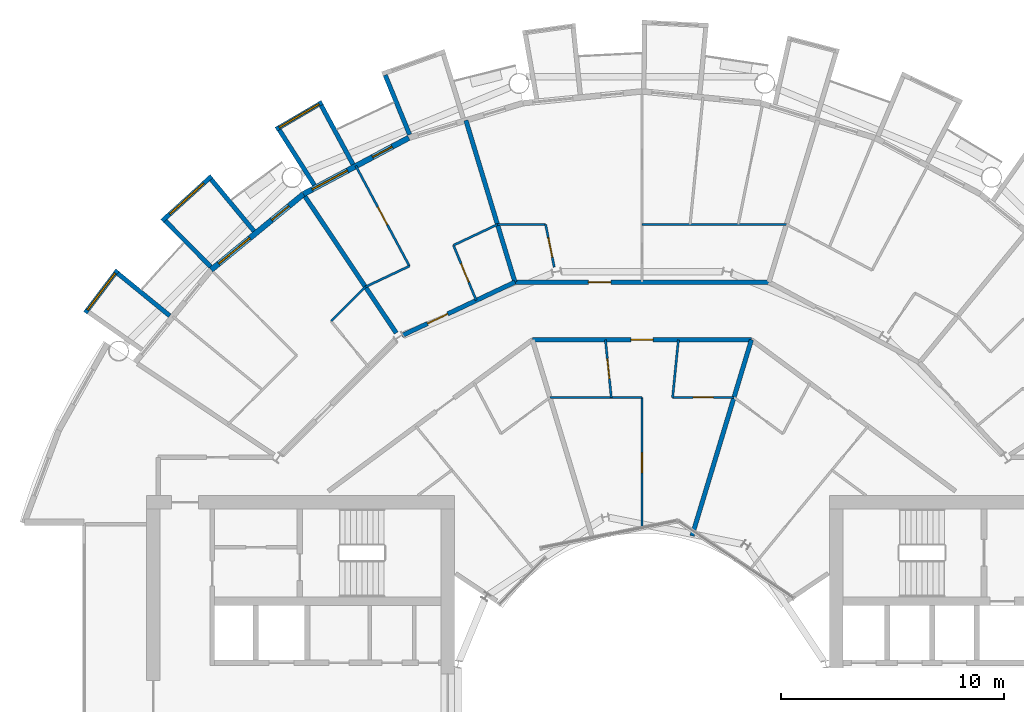
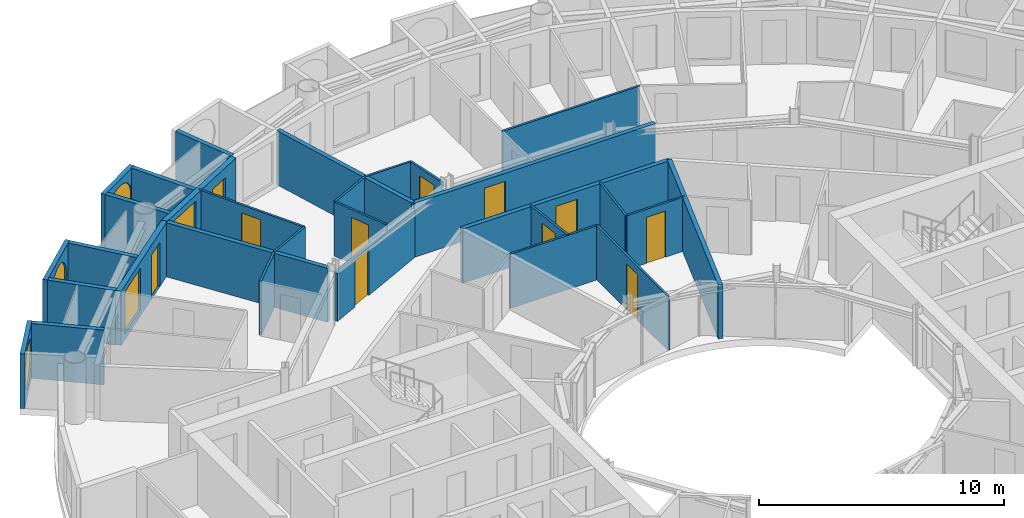
# One storey, part 20 of 27: 30 walls, 11 doors, 5 windows, 16 openings.
"""IFC4 building model written with IfcOpenShell, lengths in metres."""

from ifc_helpers import new_model, si_unit, direction, frame, frame_2d, origin, place, context, subcontext, project, spatial, rectangle, circle, extrude, material, layer, layer_set, type_object, element, fill, save


model = new_model("IFC4")

# Units and contexts
model_context = context("Model", 3, precision=1e-05, world=origin(), true_north=direction((0.0, 1.0)))
body_context = subcontext(model_context, "Body", "Model", "MODEL_VIEW")
ifc_project = project(units=[si_unit("LENGTHUNIT", "METRE"), si_unit("AREAUNIT", "SQUARE_METRE"), si_unit("VOLUMEUNIT", "CUBIC_METRE"), si_unit("PLANEANGLEUNIT", "RADIAN"), si_unit("MASSUNIT", "GRAM", prefix="KILO")], contexts=[model_context])

# Site, building, storey
site_placement = place(None, origin())
site = spatial("IfcSite", under=ifc_project, at=site_placement, CompositionType="ELEMENT")
building_placement = place(site_placement, origin())
building = spatial("IfcBuilding", under=site, at=building_placement, Name="Maasbend Ring Residences", CompositionType="ELEMENT")
storey_placement = place(building_placement, frame((0.0, 0.0, 120.800048828125)))
storey = spatial("IfcBuildingStorey", under=building, at=storey_placement, Name="L34", CompositionType="ELEMENT", Elevation=120.800048828125)

# Wall, opening, door
ifc_material_1 = material(Name="Concrete C30/37", Category="concrete")
ifc_layer_1 = layer(ifc_material_1, 0.199951171875)
ifc_layer_set_1 = layer_set([ifc_layer_1], Name="Concrete C30/37")
wall_type_1 = type_object("IfcWallType", Name="CORRIDOR WALL 200 CONCRETE", PredefinedType="PARTITIONING", material=ifc_layer_set_1)
wall_1_placement = place(storey_placement, frame((-4.906005859375, 16.172119140625, 0.0), z_axis=(0.0, 0.0, 1.0), x_axis=(1.0, 0.0, 0.0)))
wall_1 = element("IfcWall", 1, at=wall_1_placement, inside=storey, type_object=wall_type_1, Name="U-L34-w095", PredefinedType="PARTITIONING", context=body_context, shape_type="SweptSolid", body=[
    extrude(rectangle(XDim=9.81201171875, YDim=0.199951171875, at=frame_2d((4.906005859375, 0.0))), origin(), (0.0, 0.0, 1.0), 2.699951171875),
])
opening_1_placement = place(wall_1_placement, frame((4.406005859375, 0.0, 0.0)))
opening_1 = element("IfcOpeningElement", 2, at=opening_1_placement, cuts=wall_1, Name="Opening D-3425", PredefinedType="OPENING", context=body_context, shape_type="SweptSolid", body=[
    extrude(rectangle(XDim=1.0, YDim=2.300048828125, at=frame_2d((0.5, 1.14990234375))), frame((0.0, 0.10986328125, 0.0), z_axis=(0.0, -1.0, 0.0), x_axis=(1.0, 0.0, 0.0)), (0.0, 0.0, 1.0), 0.219970703125),
])
ifc_material_2 = material(Name="Timber, fire-rated, painted", Category="wood")
door_type_1 = type_object("IfcDoorType", Name="FLAT ENTRANCE DOOR 1000 X 2300 FIRE-RATED", OperationType="NOTDEFINED", PredefinedType="DOOR", material=ifc_material_2)
door_1_placement = place(opening_1_placement, origin())
door_1 = element("IfcDoor", 3, at=door_1_placement, inside=storey, type_object=door_type_1, Name="D-3425", OperationType="SINGLE_SWING_LEFT", OverallHeight=2.300048828125, OverallWidth=1.0, PredefinedType="DOOR", context=body_context, shape_type="SweptSolid", body=[
    extrude(rectangle(XDim=1.0, YDim=2.300048828125, at=frame_2d((0.5, 1.14990234375))), frame((0.0, 0.02490234375, 0.0), z_axis=(0.0, -1.0, 0.0), x_axis=(1.0, 0.0, 0.0)), (0.0, 0.0, 1.0), 0.050048828125),
])
fill(opening_1, door_1)

wall_2_placement = place(storey_placement, frame((-5.68994140625, 18.756103515625, 0.0), z_axis=(0.0, 0.0, 1.0), x_axis=(1.0, 0.0, 0.0)))
wall_2 = element("IfcWall", 4, at=wall_2_placement, inside=storey, type_object=wall_type_1, Name="U-L34-w096", PredefinedType="PARTITIONING", context=body_context, shape_type="SweptSolid", body=[
    extrude(rectangle(XDim=11.3798828125, YDim=0.199951171875, at=frame_2d((5.68994140625, 0.0))), origin(), (0.0, 0.0, 1.0), 2.699951171875),
])
opening_2_placement = place(wall_2_placement, frame((3.2939453125, 0.0, 0.0)))
opening_2 = element("IfcOpeningElement", 5, at=opening_2_placement, cuts=wall_2, Name="Opening D-3408", PredefinedType="OPENING", context=body_context, shape_type="SweptSolid", body=[
    extrude(rectangle(XDim=1.0, YDim=2.300048828125, at=frame_2d((0.5, 1.14990234375))), frame((0.0, 0.10986328125, 0.0), z_axis=(0.0, -1.0, 0.0), x_axis=(1.0, 0.0, 0.0)), (0.0, 0.0, 1.0), 0.219970703125),
])
door_2_placement = place(opening_2_placement, origin())
door_2 = element("IfcDoor", 6, at=door_2_placement, inside=storey, type_object=door_type_1, Name="D-3408", OperationType="SINGLE_SWING_LEFT", OverallHeight=2.300048828125, OverallWidth=1.0, PredefinedType="DOOR", context=body_context, shape_type="SweptSolid", body=[
    extrude(rectangle(XDim=1.0, YDim=2.300048828125, at=frame_2d((0.5, 1.14990234375))), frame((0.0, 0.02490234375, 0.0), z_axis=(0.0, -1.0, 0.0), x_axis=(1.0, 0.0, 0.0)), (0.0, 0.0, 1.0), 0.050048828125),
])
fill(opening_2, door_2)

wall_3_placement = place(storey_placement, frame((-10.748046875, 16.362060546875, 0.0), z_axis=(0.0, 0.0, 1.0), x_axis=(0.903869270233, 0.427808768409, 0.0)))
wall_3 = element("IfcWall", 7, at=wall_3_placement, inside=storey, type_object=wall_type_1, Name="U-L34-w099", PredefinedType="PARTITIONING", context=body_context, shape_type="SweptSolid", body=[
    extrude(rectangle(XDim=5.595947265625, YDim=0.199951171875, at=frame_2d((2.7978515625, 0.0))), origin(), (0.0, 0.0, 1.0), 2.389892578125),
])
opening_3_placement = place(wall_3_placement, frame((1.261962890625, 0.0, 0.0)))
opening_3 = element("IfcOpeningElement", 8, at=opening_3_placement, cuts=wall_3, Name="Opening D-3414", PredefinedType="OPENING", context=body_context, shape_type="SweptSolid", body=[
    extrude(rectangle(XDim=1.0, YDim=2.300048828125, at=frame_2d((0.5, 1.14990234375))), frame((0.0, 0.10986328125, 0.0), z_axis=(0.0, -1.0, 0.0), x_axis=(1.0, 0.0, 0.0)), (0.0, 0.0, 1.0), 0.219970703125),
])
door_3_placement = place(opening_3_placement, origin())
door_3 = element("IfcDoor", 9, at=door_3_placement, inside=storey, type_object=door_type_1, Name="D-3414", OperationType="SINGLE_SWING_LEFT", OverallHeight=2.300048828125, OverallWidth=1.0, PredefinedType="DOOR", context=body_context, shape_type="SweptSolid", body=[
    extrude(rectangle(XDim=1.0, YDim=2.300048828125, at=frame_2d((0.5, 1.14990234375))), frame((0.0, 0.02490234375, 0.0), z_axis=(0.0, -1.0, 0.0), x_axis=(1.0, 0.0, 0.0)), (0.0, 0.0, 1.0), 0.050048828125),
])
fill(opening_3, door_3)

# Wall
ifc_material_3 = material(Name="Pale anodised aluminium panel", Category="aluminium")
ifc_layer_2 = layer(ifc_material_3, 0.199951171875)
ifc_layer_set_2 = layer_set([ifc_layer_2], Name="EW-BOX")
wall_type_2 = type_object("IfcWallType", Name="EW-BOX", PredefinedType="SOLIDWALL", material=ifc_layer_set_2)
wall_4_placement = place(storey_placement, frame((-10.408935546875, 25.364013671875, -0.030029296875), z_axis=(0.0, 0.0, 1.0), x_axis=(-0.379509886562, 0.925187681501, 0.0)))
element("IfcWall", 10, at=wall_4_placement, inside=storey, type_object=wall_type_2, Name="Box side wall N14 right", PredefinedType="SOLIDWALL", context=body_context, shape_type="SweptSolid", body=[
    extrude(rectangle(XDim=2.882568359375, YDim=0.199951171875, at=frame_2d((1.44140625, 0.0))), origin(), (0.0, 0.0, 1.0), 2.72998046875),
])

# Wall, opening, window
wall_5_placement = place(storey_placement, frame((-14.326904296875, 26.81201171875, -0.030029296875), z_axis=(0.0, 0.0, 1.0), x_axis=(-0.862762477128, -0.505609442218, 0.0)))
wall_5 = element("IfcWall", 11, at=wall_5_placement, inside=storey, type_object=wall_type_2, Name="Box front N16", PredefinedType="SOLIDWALL", context=body_context, shape_type="SweptSolid", body=[
    extrude(rectangle(XDim=2.39111328125, YDim=0.199951171875, at=frame_2d((1.195556640625, 0.0))), origin(), (0.0, 0.0, 1.0), 2.72998046875),
])
opening_4_placement = place(wall_5_placement, frame((0.15576171875, 0.0, 0.330078125)))
opening_4 = element("IfcOpeningElement", 12, at=opening_4_placement, cuts=wall_5, Name="Opening W-RD", PredefinedType="OPENING", context=body_context, shape_type="SweptSolid", body=[
    extrude(circle(Radius=1.0400390625, at=frame_2d((1.0400390625, 1.0400390625))), frame((0.0, 0.10986328125, 0.0), z_axis=(0.0, -1.0, 0.0), x_axis=(1.0, 0.0, 0.0)), (0.0, 0.0, 1.0), 0.219970703125),
])
ifc_material_4 = material(Name="Aluminium and clear glass", Category="aluminium")
window_type_1 = type_object("IfcWindowType", Name="W-RD", PartitioningType="SINGLE_PANEL", PredefinedType="WINDOW", material=ifc_material_4)
window_1_placement = place(opening_4_placement, origin())
window_1 = element("IfcWindow", 13, at=window_1_placement, inside=storey, type_object=window_type_1, Name="Round window N16", OverallHeight=2.080078125, OverallWidth=2.080078125, PartitioningType="SINGLE_PANEL", PredefinedType="WINDOW", context=body_context, shape_type="SweptSolid", body=[
    extrude(circle(Radius=1.0400390625, at=frame_2d((1.0400390625, 1.0400390625))), frame((0.0, 0.030029296875, 0.0), z_axis=(0.0, -1.0, 0.0), x_axis=(1.0, 0.0, 0.0)), (0.0, 0.0, 1.0), 0.06005859375),
])
fill(opening_4, window_1)

# Walls
wall_6_placement = place(storey_placement, frame((-12.945068359375, 24.029052734375, -0.030029296875), z_axis=(0.0, 0.0, 1.0), x_axis=(-0.474424310775, 0.88029629861, 0.0)))
element("IfcWall", 14, at=wall_6_placement, inside=storey, type_object=wall_type_2, Name="Box side wall N16 left", PredefinedType="SOLIDWALL", context=body_context, shape_type="SweptSolid", body=[
    extrude(rectangle(XDim=3.005859375, YDim=0.199951171875, at=frame_2d((1.5029296875, 0.0))), origin(), (0.0, 0.0, 1.0), 2.72998046875),
])
wall_7_placement = place(storey_placement, frame((-14.677978515625, 23.10205078125, -0.030029296875), z_axis=(0.0, 0.0, 1.0), x_axis=(-0.536001536573, 0.844217005746, 0.0)))
element("IfcWall", 15, at=wall_7_placement, inside=storey, type_object=wall_type_2, Name="Box side wall N16 right", PredefinedType="SOLIDWALL", context=body_context, shape_type="SweptSolid", body=[
    extrude(rectangle(XDim=2.92919921875, YDim=0.199951171875, at=frame_2d((1.464599609375, 0.0))), origin(), (0.0, 0.0, 1.0), 2.72998046875),
])

# Wall, opening, window
wall_8_placement = place(storey_placement, frame((-19.281982421875, 23.5029296875, -0.030029296875), z_axis=(0.0, 0.0, 1.0), x_axis=(-0.740998365753, -0.671506829416, 0.0)))
wall_8 = element("IfcWall", 16, at=wall_8_placement, inside=storey, type_object=wall_type_2, Name="Box front N18", PredefinedType="SOLIDWALL", context=body_context, shape_type="SweptSolid", body=[
    extrude(rectangle(XDim=2.9931640625, YDim=0.199951171875, at=frame_2d((1.49658203125, 0.0))), origin(), (0.0, 0.0, 1.0), 2.72998046875),
])
opening_5_placement = place(wall_8_placement, frame((0.45654296875, 0.0, 0.330078125)))
opening_5 = element("IfcOpeningElement", 17, at=opening_5_placement, cuts=wall_8, Name="Opening W-RD", PredefinedType="OPENING", context=body_context, shape_type="SweptSolid", body=[
    extrude(circle(Radius=1.0400390625, at=frame_2d((1.0400390625, 1.0400390625))), frame((0.0, 0.10986328125, 0.0), z_axis=(0.0, -1.0, 0.0), x_axis=(1.0, 0.0, 0.0)), (0.0, 0.0, 1.0), 0.219970703125),
])
window_2_placement = place(opening_5_placement, origin())
window_2 = element("IfcWindow", 18, at=window_2_placement, inside=storey, type_object=window_type_1, Name="Round window N18", OverallHeight=2.080078125, OverallWidth=2.080078125, PartitioningType="SINGLE_PANEL", PredefinedType="WINDOW", context=body_context, shape_type="SweptSolid", body=[
    extrude(circle(Radius=1.0400390625, at=frame_2d((1.0400390625, 1.0400390625))), frame((0.0, 0.030029296875, 0.0), z_axis=(0.0, -1.0, 0.0), x_axis=(1.0, 0.0, 0.0)), (0.0, 0.0, 1.0), 0.06005859375),
])
fill(opening_5, window_2)

# Walls
wall_9_placement = place(storey_placement, frame((-17.384033203125, 21.041015625, -0.030029296875), z_axis=(0.0, 0.0, 1.0), x_axis=(-0.63709551667, 0.770784861449, 0.0)))
element("IfcWall", 19, at=wall_9_placement, inside=storey, type_object=wall_type_2, Name="Box side wall N18 left", PredefinedType="SOLIDWALL", context=body_context, shape_type="SweptSolid", body=[
    extrude(rectangle(XDim=3.005859375, YDim=0.199951171875, at=frame_2d((1.5029296875, 0.0))), origin(), (0.0, 0.0, 1.0), 2.72998046875),
])
wall_10_placement = place(storey_placement, frame((-19.322998046875, 19.449951171875, -0.030029296875), z_axis=(0.0, 0.0, 1.0), x_axis=(-0.704476739375, 0.709727076896, 0.0)))
element("IfcWall", 20, at=wall_10_placement, inside=storey, type_object=wall_type_2, Name="Box side wall N18 right", PredefinedType="SOLIDWALL", context=body_context, shape_type="SweptSolid", body=[
    extrude(rectangle(XDim=2.883056640625, YDim=0.199951171875, at=frame_2d((1.44140625, 0.0))), origin(), (0.0, 0.0, 1.0), 2.72998046875),
])

# Wall, opening, window
wall_11_placement = place(storey_placement, frame((-23.4970703125, 19.2890625, -0.030029296875), z_axis=(0.0, 0.0, 1.0), x_axis=(-0.603375996329, -0.797456837111, 0.0)))
wall_11 = element("IfcWall", 21, at=wall_11_placement, inside=storey, type_object=wall_type_2, Name="Box front N20", PredefinedType="SOLIDWALL", context=body_context, shape_type="SweptSolid", body=[
    extrude(rectangle(XDim=2.391357421875, YDim=0.199951171875, at=frame_2d((1.19580078125, 0.0))), origin(), (0.0, 0.0, 1.0), 2.72998046875),
])
opening_6_placement = place(wall_11_placement, frame((0.15576171875, 0.0, 0.330078125)))
opening_6 = element("IfcOpeningElement", 22, at=opening_6_placement, cuts=wall_11, Name="Opening W-RD", PredefinedType="OPENING", context=body_context, shape_type="SweptSolid", body=[
    extrude(circle(Radius=1.0400390625, at=frame_2d((1.0400390625, 1.0400390625))), frame((0.0, 0.10986328125, 0.0), z_axis=(0.0, -1.0, 0.0), x_axis=(1.0, 0.0, 0.0)), (0.0, 0.0, 1.0), 0.219970703125),
])
window_3_placement = place(opening_6_placement, origin())
window_3 = element("IfcWindow", 23, at=window_3_placement, inside=storey, type_object=window_type_1, Name="Round window N20", OverallHeight=2.080078125, OverallWidth=2.080078125, PartitioningType="SINGLE_PANEL", PredefinedType="WINDOW", context=body_context, shape_type="SweptSolid", body=[
    extrude(circle(Radius=1.0400390625, at=frame_2d((1.0400390625, 1.0400390625))), frame((0.0, 0.030029296875, 0.0), z_axis=(0.0, -1.0, 0.0), x_axis=(1.0, 0.0, 0.0)), (0.0, 0.0, 1.0), 0.06005859375),
])
fill(opening_6, window_3)

# Wall
wall_12_placement = place(storey_placement, frame((-21.155029296875, 17.24609375, -0.030029296875), z_axis=(0.0, 0.0, 1.0), x_axis=(-0.775179004516, 0.631741648902, 0.0)))
element("IfcWall", 24, at=wall_12_placement, inside=storey, type_object=wall_type_2, Name="Box side wall N20 left", PredefinedType="SOLIDWALL", context=body_context, shape_type="SweptSolid", body=[
    extrude(rectangle(XDim=3.005859375, YDim=0.199951171875, at=frame_2d((1.5029296875, 0.0))), origin(), (0.0, 0.0, 1.0), 2.72998046875),
])

# Wall, openings, door, window
ifc_material_5 = material(Name="Aluminium clad insulated panel", Category="aluminium")
ifc_layer_3 = layer(ifc_material_5, 0.25)
ifc_layer_set_3 = layer_set([ifc_layer_3], Name="EW-GL")
wall_type_3 = type_object("IfcWallType", Name="EW-GL", PredefinedType="SOLIDWALL", material=ifc_layer_set_3)
wall_13_placement = place(storey_placement, frame((-10.447021484375, 25.221923828125, 0.0), z_axis=(0.0, 0.0, 1.0), x_axis=(-0.881915646801, -0.471407246368, 0.0)))
wall_13 = element("IfcWall", 25, at=wall_13_placement, inside=storey, type_object=wall_type_3, Name="External wall N08", PredefinedType="SOLIDWALL", context=body_context, shape_type="SweptSolid", body=[
    extrude(rectangle(XDim=5.35205078125, YDim=0.25, at=frame_2d((2.676025390625, 0.0))), origin(), (0.0, 0.0, 1.0), 2.699951171875),
])
opening_7_placement = place(wall_13_placement, frame((0.841064453125, 0.0, 0.0)))
opening_7 = element("IfcOpeningElement", 26, at=opening_7_placement, cuts=wall_13, Name="Opening D-LG", PredefinedType="OPENING", context=body_context, shape_type="SweptSolid", body=[
    extrude(rectangle(XDim=1.0, YDim=2.199951171875, at=frame_2d((0.5, 1.10009765625))), frame((0.0, 0.135009765625, 0.0), z_axis=(0.0, -1.0, 0.0), x_axis=(1.0, 0.0, 0.0)), (0.0, 0.0, 1.0), 0.27001953125),
])
opening_8_placement = place(wall_13_placement, frame((3.110595703125, 0.0, 0.300048828125)))
opening_8 = element("IfcOpeningElement", 27, at=opening_8_placement, cuts=wall_13, Name="Opening W-BX", PredefinedType="OPENING", context=body_context, shape_type="SweptSolid", body=[
    extrude(rectangle(XDim=1.800048828125, YDim=2.10009765625, at=frame_2d((0.89990234375, 1.050048828125))), frame((0.0, 0.135009765625, 0.0), z_axis=(0.0, -1.0, 0.0), x_axis=(1.0, 0.0, 0.0)), (0.0, 0.0, 1.0), 0.27001953125),
])
ifc_material_6 = material(Name="Aluminium and clear glass", Category="aluminium")
door_type_2 = type_object("IfcDoorType", Name="D-LG", OperationType="SINGLE_SWING_LEFT", PredefinedType="DOOR", material=ifc_material_6)
door_4_placement = place(opening_7_placement, origin())
door_4 = element("IfcDoor", 28, at=door_4_placement, inside=storey, type_object=door_type_2, Name="Loggia door N15", OperationType="SINGLE_SWING_LEFT", OverallHeight=2.199951171875, OverallWidth=1.0, PredefinedType="DOOR", context=body_context, shape_type="SweptSolid", body=[
    extrude(rectangle(XDim=1.0, YDim=2.199951171875, at=frame_2d((0.5, 1.10009765625))), frame((0.0, 0.02490234375, 0.0), z_axis=(0.0, -1.0, 0.0), x_axis=(1.0, 0.0, 0.0)), (0.0, 0.0, 1.0), 0.050048828125),
])
fill(opening_7, door_4)
ifc_material_7 = material(Name="Aluminium and clear glass", Category="aluminium")
window_type_2 = type_object("IfcWindowType", Name="W-BX", PartitioningType="DOUBLE_PANEL_VERTICAL", PredefinedType="WINDOW", material=ifc_material_7)
window_4_placement = place(opening_8_placement, origin())
window_4 = element("IfcWindow", 29, at=window_4_placement, inside=storey, type_object=window_type_2, Name="Window N16 room to box", OverallHeight=2.10009765625, OverallWidth=1.800048828125, PartitioningType="SINGLE_PANEL", PredefinedType="WINDOW", context=body_context, shape_type="SweptSolid", body=[
    extrude(rectangle(XDim=1.800048828125, YDim=2.10009765625, at=frame_2d((0.89990234375, 1.050048828125))), frame((0.0, 0.030029296875, 0.0), z_axis=(0.0, -1.0, 0.0), x_axis=(1.0, 0.0, 0.0)), (0.0, 0.0, 1.0), 0.06005859375),
])
fill(opening_8, window_4)

wall_14_placement = place(storey_placement, frame((-15.1669921875, 22.698974609375, 0.0), z_axis=(0.0, 0.0, 1.0), x_axis=(-0.773019449054, -0.634382322723, 0.0)))
wall_14 = element("IfcWall", 30, at=wall_14_placement, inside=storey, type_object=wall_type_3, Name="External wall N09", PredefinedType="SOLIDWALL", context=body_context, shape_type="SweptSolid", body=[
    extrude(rectangle(XDim=5.351806640625, YDim=0.25, at=frame_2d((2.67578125, 0.0))), origin(), (0.0, 0.0, 1.0), 2.699951171875),
])
opening_9_placement = place(wall_14_placement, frame((0.841064453125, 0.0, 0.0)))
opening_9 = element("IfcOpeningElement", 31, at=opening_9_placement, cuts=wall_14, Name="Opening D-LG", PredefinedType="OPENING", context=body_context, shape_type="SweptSolid", body=[
    extrude(rectangle(XDim=1.0, YDim=2.199951171875, at=frame_2d((0.5, 1.10009765625))), frame((0.0, 0.135009765625, 0.0), z_axis=(0.0, -1.0, 0.0), x_axis=(1.0, 0.0, 0.0)), (0.0, 0.0, 1.0), 0.27001953125),
])
opening_10_placement = place(wall_14_placement, frame((3.110595703125, 0.0, 0.300048828125)))
opening_10 = element("IfcOpeningElement", 32, at=opening_10_placement, cuts=wall_14, Name="Opening W-BX", PredefinedType="OPENING", context=body_context, shape_type="SweptSolid", body=[
    extrude(rectangle(XDim=1.800048828125, YDim=2.10009765625, at=frame_2d((0.89990234375, 1.050048828125))), frame((0.0, 0.135009765625, 0.0), z_axis=(0.0, -1.0, 0.0), x_axis=(1.0, 0.0, 0.0)), (0.0, 0.0, 1.0), 0.27001953125),
])
door_5_placement = place(opening_9_placement, origin())
door_5 = element("IfcDoor", 33, at=door_5_placement, inside=storey, type_object=door_type_2, Name="Loggia door N17", OperationType="SINGLE_SWING_LEFT", OverallHeight=2.199951171875, OverallWidth=1.0, PredefinedType="DOOR", context=body_context, shape_type="SweptSolid", body=[
    extrude(rectangle(XDim=1.0, YDim=2.199951171875, at=frame_2d((0.5, 1.10009765625))), frame((0.0, 0.02490234375, 0.0), z_axis=(0.0, -1.0, 0.0), x_axis=(1.0, 0.0, 0.0)), (0.0, 0.0, 1.0), 0.050048828125),
])
fill(opening_9, door_5)
window_5_placement = place(opening_10_placement, origin())
window_5 = element("IfcWindow", 34, at=window_5_placement, inside=storey, type_object=window_type_2, Name="Window N18 room to box", OverallHeight=2.10009765625, OverallWidth=1.800048828125, PartitioningType="SINGLE_PANEL", PredefinedType="WINDOW", context=body_context, shape_type="SweptSolid", body=[
    extrude(rectangle(XDim=1.800048828125, YDim=2.10009765625, at=frame_2d((0.89990234375, 1.050048828125))), frame((0.0, 0.030029296875, 0.0), z_axis=(0.0, -1.0, 0.0), x_axis=(1.0, 0.0, 0.0)), (0.0, 0.0, 1.0), 0.06005859375),
])
fill(opening_10, window_5)

# Wall, opening, door
ifc_material_8 = material(Name="Gypsum board on steel studs", Category="steel")
ifc_layer_4 = layer(ifc_material_8, 0.10009765625)
ifc_layer_set_4 = layer_set([ifc_layer_4], Name="PARTITION 100 GYPSUM")
wall_type_4 = type_object("IfcWallType", Name="PARTITION 100 GYPSUM", PredefinedType="PARTITIONING", material=ifc_layer_set_4)
wall_15_placement = place(storey_placement, frame((-12.820068359375, 23.9609375, 0.0), z_axis=(0.0, 0.0, 1.0), x_axis=(0.471735511233, -0.881740101981, 0.0)))
wall_15 = element("IfcWall", 35, at=wall_15_placement, inside=storey, type_object=wall_type_4, Name="U-L34-w041", PredefinedType="PARTITIONING", context=body_context, shape_type="SweptSolid", body=[
    extrude(rectangle(XDim=5.090087890625, YDim=0.10009765625, at=frame_2d((2.544921875, 0.0))), origin(), (0.0, 0.0, 1.0), 2.699951171875),
])
opening_11_placement = place(wall_15_placement, frame((2.094970703125, 0.0, 0.0)))
opening_11 = element("IfcOpeningElement", 36, at=opening_11_placement, cuts=wall_15, Name="Opening D-3416", PredefinedType="OPENING", context=body_context, shape_type="SweptSolid", body=[
    extrude(rectangle(XDim=0.89990234375, YDim=2.300048828125, at=frame_2d((0.449951171875, 1.14990234375))), frame((0.0, 0.06005859375, 0.0), z_axis=(0.0, -1.0, 0.0), x_axis=(1.0, 0.0, 0.0)), (0.0, 0.0, 1.0), 0.1201171875),
])
ifc_material_9 = material(Name="Timber, painted", Category="wood")
door_type_3 = type_object("IfcDoorType", Name="INTERNAL DOOR 900 X 2300", OperationType="NOTDEFINED", PredefinedType="DOOR", material=ifc_material_9)
door_6_placement = place(opening_11_placement, origin())
door_6 = element("IfcDoor", 37, at=door_6_placement, inside=storey, type_object=door_type_3, Name="D-3416", OperationType="SINGLE_SWING_RIGHT", OverallHeight=2.300048828125, OverallWidth=0.89990234375, PredefinedType="DOOR", context=body_context, shape_type="SweptSolid", body=[
    extrude(rectangle(XDim=0.89990234375, YDim=2.300048828125, at=frame_2d((0.449951171875, 1.14990234375))), frame((0.0, 0.02490234375, 0.0), z_axis=(0.0, -1.0, 0.0), x_axis=(1.0, 0.0, 0.0)), (0.0, 0.0, 1.0), 0.050048828125),
])
fill(opening_11, door_6)

wall_16_placement = place(storey_placement, frame((-8.445068359375, 20.406982421875, 0.0), z_axis=(0.0, 0.0, 1.0), x_axis=(0.382195876364, -0.924081334132, 0.0)))
wall_16 = element("IfcWall", 38, at=wall_16_placement, inside=storey, type_object=wall_type_4, Name="U-L34-w045", PredefinedType="PARTITIONING", context=body_context, shape_type="SweptSolid", body=[
    extrude(rectangle(XDim=2.673828125, YDim=0.10009765625, at=frame_2d((1.3369140625, 0.0))), origin(), (0.0, 0.0, 1.0), 2.699951171875),
])
opening_12_placement = place(wall_16_placement, frame((0.886962890625, 0.0, 0.0)))
opening_12 = element("IfcOpeningElement", 39, at=opening_12_placement, cuts=wall_16, Name="Opening D-3415", PredefinedType="OPENING", context=body_context, shape_type="SweptSolid", body=[
    extrude(rectangle(XDim=0.89990234375, YDim=2.300048828125, at=frame_2d((0.449951171875, 1.14990234375))), frame((0.0, 0.06005859375, 0.0), z_axis=(0.0, -1.0, 0.0), x_axis=(1.0, 0.0, 0.0)), (0.0, 0.0, 1.0), 0.1201171875),
])
door_7_placement = place(opening_12_placement, origin())
door_7 = element("IfcDoor", 40, at=door_7_placement, inside=storey, type_object=door_type_3, Name="D-3415", OperationType="SINGLE_SWING_RIGHT", OverallHeight=2.300048828125, OverallWidth=0.89990234375, PredefinedType="DOOR", context=body_context, shape_type="SweptSolid", body=[
    extrude(rectangle(XDim=0.89990234375, YDim=2.300048828125, at=frame_2d((0.449951171875, 1.14990234375))), frame((0.0, 0.02490234375, 0.0), z_axis=(0.0, -1.0, 0.0), x_axis=(1.0, 0.0, 0.0)), (0.0, 0.0, 1.0), 0.050048828125),
])
fill(opening_12, door_7)

wall_17_placement = place(storey_placement, frame((-4.31591796875, 21.340087890625, 0.0), z_axis=(0.0, 0.0, 1.0), x_axis=(0.198348087074, -0.980131642359, 0.0)))
wall_17 = element("IfcWall", 41, at=wall_17_placement, inside=storey, type_object=wall_type_4, Name="U-L34-w053", PredefinedType="PARTITIONING", context=body_context, shape_type="SweptSolid", body=[
    extrude(rectangle(XDim=1.955810546875, YDim=0.10009765625, at=frame_2d((0.97802734375, 0.0))), origin(), (0.0, 0.0, 1.0), 2.699951171875),
])
opening_13_placement = place(wall_17_placement, frame((0.60009765625, 0.0, 0.0)))
opening_13 = element("IfcOpeningElement", 42, at=opening_13_placement, cuts=wall_17, Name="Opening D-3409", PredefinedType="OPENING", context=body_context, shape_type="SweptSolid", body=[
    extrude(rectangle(XDim=0.89990234375, YDim=2.300048828125, at=frame_2d((0.449951171875, 1.14990234375))), frame((0.0, 0.06005859375, 0.0), z_axis=(0.0, -1.0, 0.0), x_axis=(1.0, 0.0, 0.0)), (0.0, 0.0, 1.0), 0.1201171875),
])
door_8_placement = place(opening_13_placement, origin())
door_8 = element("IfcDoor", 43, at=door_8_placement, inside=storey, type_object=door_type_3, Name="D-3409", OperationType="SINGLE_SWING_RIGHT", OverallHeight=2.300048828125, OverallWidth=0.89990234375, PredefinedType="DOOR", context=body_context, shape_type="SweptSolid", body=[
    extrude(rectangle(XDim=0.89990234375, YDim=2.300048828125, at=frame_2d((0.449951171875, 1.14990234375))), frame((0.0, 0.02490234375, 0.0), z_axis=(0.0, -1.0, 0.0), x_axis=(1.0, 0.0, 0.0)), (0.0, 0.0, 1.0), 0.050048828125),
])
fill(opening_13, door_8)

wall_18_placement = place(storey_placement, frame((-1.635009765625, 16.172119140625, 0.0), z_axis=(0.0, 0.0, 1.0), x_axis=(0.100527855112, -0.994934244233, 0.0)))
wall_18 = element("IfcWall", 44, at=wall_18_placement, inside=storey, type_object=wall_type_4, Name="U-L34-w055", PredefinedType="PARTITIONING", context=body_context, shape_type="SweptSolid", body=[
    extrude(rectangle(XDim=2.59619140625, YDim=0.10009765625, at=frame_2d((1.298095703125, 0.0))), origin(), (0.0, 0.0, 1.0), 2.699951171875),
])
opening_14_placement = place(wall_18_placement, frame((0.847900390625, 0.0, 0.0)))
opening_14 = element("IfcOpeningElement", 45, at=opening_14_placement, cuts=wall_18, Name="Opening D-3427", PredefinedType="OPENING", context=body_context, shape_type="SweptSolid", body=[
    extrude(rectangle(XDim=0.89990234375, YDim=2.300048828125, at=frame_2d((0.449951171875, 1.14990234375))), frame((0.0, 0.06005859375, 0.0), z_axis=(0.0, -1.0, 0.0), x_axis=(1.0, 0.0, 0.0)), (0.0, 0.0, 1.0), 0.1201171875),
])
door_9_placement = place(opening_14_placement, origin())
door_9 = element("IfcDoor", 46, at=door_9_placement, inside=storey, type_object=door_type_3, Name="D-3427", OperationType="SINGLE_SWING_LEFT", OverallHeight=2.300048828125, OverallWidth=0.89990234375, PredefinedType="DOOR", context=body_context, shape_type="SweptSolid", body=[
    extrude(rectangle(XDim=0.89990234375, YDim=2.300048828125, at=frame_2d((0.449951171875, 1.14990234375))), frame((0.0, 0.02490234375, 0.0), z_axis=(0.0, -1.0, 0.0), x_axis=(1.0, 0.0, 0.0)), (0.0, 0.0, 1.0), 0.050048828125),
])
fill(opening_14, door_9)

wall_19_placement = place(storey_placement, frame((0.0, 7.719970703125, 0.0), z_axis=(0.0, 0.0, 1.0), x_axis=(0.0, 1.0, 0.0)))
wall_19 = element("IfcWall", 47, at=wall_19_placement, inside=storey, type_object=wall_type_4, Name="U-L34-w057", PredefinedType="PARTITIONING", context=body_context, shape_type="SweptSolid", body=[
    extrude(rectangle(XDim=5.869140625, YDim=0.10009765625, at=frame_2d((2.9345703125, 0.0))), origin(), (0.0, 0.0, 1.0), 2.699951171875),
])
opening_15_placement = place(wall_19_placement, frame((2.485107421875, 0.0, 0.0)))
opening_15 = element("IfcOpeningElement", 48, at=opening_15_placement, cuts=wall_19, Name="Opening D-3428", PredefinedType="OPENING", context=body_context, shape_type="SweptSolid", body=[
    extrude(rectangle(XDim=0.89990234375, YDim=2.300048828125, at=frame_2d((0.449951171875, 1.14990234375))), frame((0.0, 0.06005859375, 0.0), z_axis=(0.0, -1.0, 0.0), x_axis=(1.0, 0.0, 0.0)), (0.0, 0.0, 1.0), 0.1201171875),
])
door_10_placement = place(opening_15_placement, origin())
door_10 = element("IfcDoor", 49, at=door_10_placement, inside=storey, type_object=door_type_3, Name="D-3428", OperationType="SINGLE_SWING_RIGHT", OverallHeight=2.300048828125, OverallWidth=0.89990234375, PredefinedType="DOOR", context=body_context, shape_type="SweptSolid", body=[
    extrude(rectangle(XDim=0.89990234375, YDim=2.300048828125, at=frame_2d((0.449951171875, 1.14990234375))), frame((0.0, 0.02490234375, 0.0), z_axis=(0.0, -1.0, 0.0), x_axis=(1.0, 0.0, 0.0)), (0.0, 0.0, 1.0), 0.050048828125),
])
fill(opening_15, door_10)

# Walls
wall_20_placement = place(storey_placement, frame((1.3740234375, 13.589111328125, 0.0), z_axis=(0.0, 0.0, 1.0), x_axis=(0.100527855112, 0.994934244233, 0.0)))
element("IfcWall", 50, at=wall_20_placement, inside=storey, type_object=wall_type_4, Name="U-L34-w059", PredefinedType="PARTITIONING", context=body_context, shape_type="SweptSolid", body=[
    extrude(rectangle(XDim=2.59619140625, YDim=0.10009765625, at=frame_2d((1.298095703125, 0.0))), origin(), (0.0, 0.0, 1.0), 2.699951171875),
])
wall_21_placement = place(storey_placement, frame((-4.1220703125, 13.589111328125, 0.0), z_axis=(0.0, 0.0, 1.0), x_axis=(1.0, 0.0, 0.0)))
element("IfcWall", 51, at=wall_21_placement, inside=storey, type_object=wall_type_4, Name="U-L34-w091", PredefinedType="PARTITIONING", context=body_context, shape_type="SweptSolid", body=[
    extrude(rectangle(XDim=4.1220703125, YDim=0.10009765625, at=frame_2d((2.06103515625, 0.0))), origin(), (0.0, 0.0, 1.0), 2.699951171875),
])

# Wall, opening, door
wall_22_placement = place(storey_placement, frame((1.3740234375, 13.589111328125, 0.0), z_axis=(0.0, 0.0, 1.0), x_axis=(1.0, 0.0, 0.0)))
wall_22 = element("IfcWall", 52, at=wall_22_placement, inside=storey, type_object=wall_type_4, Name="U-L34-w092", PredefinedType="PARTITIONING", context=body_context, shape_type="SweptSolid", body=[
    extrude(rectangle(XDim=2.748046875, YDim=0.10009765625, at=frame_2d((1.3740234375, 0.0))), origin(), (0.0, 0.0, 1.0), 2.699951171875),
])
opening_16_placement = place(wall_22_placement, frame((0.924072265625, 0.0, 0.0)))
opening_16 = element("IfcOpeningElement", 53, at=opening_16_placement, cuts=wall_22, Name="Opening D-3426", PredefinedType="OPENING", context=body_context, shape_type="SweptSolid", body=[
    extrude(rectangle(XDim=0.89990234375, YDim=2.300048828125, at=frame_2d((0.449951171875, 1.14990234375))), frame((0.0, 0.06005859375, 0.0), z_axis=(0.0, -1.0, 0.0), x_axis=(1.0, 0.0, 0.0)), (0.0, 0.0, 1.0), 0.1201171875),
])
door_11_placement = place(opening_16_placement, origin())
door_11 = element("IfcDoor", 54, at=door_11_placement, inside=storey, type_object=door_type_3, Name="D-3426", OperationType="SINGLE_SWING_RIGHT", OverallHeight=2.300048828125, OverallWidth=0.89990234375, PredefinedType="DOOR", context=body_context, shape_type="SweptSolid", body=[
    extrude(rectangle(XDim=0.89990234375, YDim=2.300048828125, at=frame_2d((0.449951171875, 1.14990234375))), frame((0.0, 0.02490234375, 0.0), z_axis=(0.0, -1.0, 0.0), x_axis=(1.0, 0.0, 0.0)), (0.0, 0.0, 1.0), 0.050048828125),
])
fill(opening_16, door_11)

# Walls
wall_23_placement = place(storey_placement, frame((-6.472900390625, 21.340087890625, 0.0), z_axis=(0.0, 0.0, 1.0), x_axis=(1.0, 0.0, 0.0)))
element("IfcWall", 55, at=wall_23_placement, inside=storey, type_object=wall_type_4, Name="U-L34-w101", PredefinedType="PARTITIONING", context=body_context, shape_type="SweptSolid", body=[
    extrude(rectangle(XDim=2.156982421875, YDim=0.10009765625, at=frame_2d((1.07861328125, 0.0))), origin(), (0.0, 0.0, 1.0), 2.699951171875),
])
wall_24_placement = place(storey_placement, frame((0.0, 21.340087890625, 0.0), z_axis=(0.0, 0.0, 1.0), x_axis=(1.0, 0.0, 0.0)))
element("IfcWall", 56, at=wall_24_placement, inside=storey, type_object=wall_type_4, Name="U-L34-w102", PredefinedType="PARTITIONING", context=body_context, shape_type="SweptSolid", body=[
    extrude(rectangle(XDim=6.472900390625, YDim=0.10009765625, at=frame_2d((3.236328125, 0.0))), origin(), (0.0, 0.0, 1.0), 2.699951171875),
])
wall_25_placement = place(storey_placement, frame((-13.924072265625, 17.006103515625, 0.0), z_axis=(0.0, 0.0, 1.0), x_axis=(0.707387256653, 0.706826194425, 0.0)))
element("IfcWall", 57, at=wall_25_placement, inside=storey, type_object=wall_type_4, Name="U-L34-w106", PredefinedType="PARTITIONING", context=body_context, shape_type="SweptSolid", body=[
    extrude(rectangle(XDim=2.17578125, YDim=0.10009765625, at=frame_2d((1.087890625, 0.0))), origin(), (0.0, 0.0, 1.0), 2.699951171875),
])
for number, where, z_axis, x_axis, name in (
    (58, (-12.388916015625, 18.5419921875, 0.0), (0.0, 0.0, 1.0), (0.904081702397, 0.427359655782, 0.0), "U-L34-w109"),
    (59, (-8.43603515625, 20.409912109375, 0.0), (0.0, 0.0, 1.0), (0.904081702397, 0.427359655782, 0.0), "U-L34-w110"),
):
    element("IfcWall", number, at=place(storey_placement, frame(where, z_axis=z_axis, x_axis=x_axis)), inside=storey, type_object=wall_type_4, Name=name, PredefinedType="PARTITIONING", context=body_context, shape_type="SweptSolid", body=[
        extrude(rectangle(XDim=2.18115234375, YDim=0.10009765625, at=frame_2d((1.090576171875, 0.0))), origin(), (0.0, 0.0, 1.0), 2.699951171875),
    ])
ifc_material_10 = material(Name="Concrete C30/37", Category="concrete")
ifc_layer_5 = layer(ifc_material_10, 0.199951171875)
ifc_layer_set_5 = layer_set([ifc_layer_5], Name="Concrete C30/37")
wall_type_5 = type_object("IfcWallType", Name="PARTY WALL 200 CONCRETE", PredefinedType="PARTITIONING", material=ifc_layer_set_5)
wall_26_placement = place(storey_placement, frame((-7.886962890625, 26.0048828125, 0.0), z_axis=(0.0, 0.0, 1.0), x_axis=(0.29005838641, -0.957008951094, 0.0)))
element("IfcWall", 60, at=wall_26_placement, inside=storey, type_object=wall_type_5, Name="U-L34-w028", PredefinedType="PARTITIONING", context=body_context, shape_type="SweptSolid", body=[
    extrude(rectangle(XDim=7.574462890625, YDim=0.199951171875, at=frame_2d((3.787109375, 0.0))), origin(), (0.0, 0.0, 1.0), 2.699951171875),
])
wall_27_placement = place(storey_placement, frame((2.2451171875, 7.386962890625, 0.0), z_axis=(0.0, 0.0, 1.0), x_axis=(0.289977130626, 0.957033575019, 0.0)))
element("IfcWall", 61, at=wall_27_placement, inside=storey, type_object=wall_type_5, Name="U-L34-w030", PredefinedType="PARTITIONING", context=body_context, shape_type="SweptSolid", body=[
    extrude(rectangle(XDim=9.1796875, YDim=0.199951171875, at=frame_2d((4.58984375, 0.0))), origin(), (0.0, 0.0, 1.0), 2.699951171875),
])
wall_28_placement = place(storey_placement, frame((-15.096923828125, 22.594970703125, 0.0), z_axis=(0.0, 0.0, 1.0), x_axis=(0.555572791, -0.831467903109, 0.0)))
element("IfcWall", 62, at=wall_28_placement, inside=storey, type_object=wall_type_5, Name="U-L34-w039", PredefinedType="PARTITIONING", context=body_context, shape_type="SweptSolid", body=[
    extrude(rectangle(XDim=7.35791015625, YDim=0.199951171875, at=frame_2d((3.678955078125, 0.0))), origin(), (0.0, 0.0, 1.0), 2.699951171875),
])

save(model, "model.ifc")
